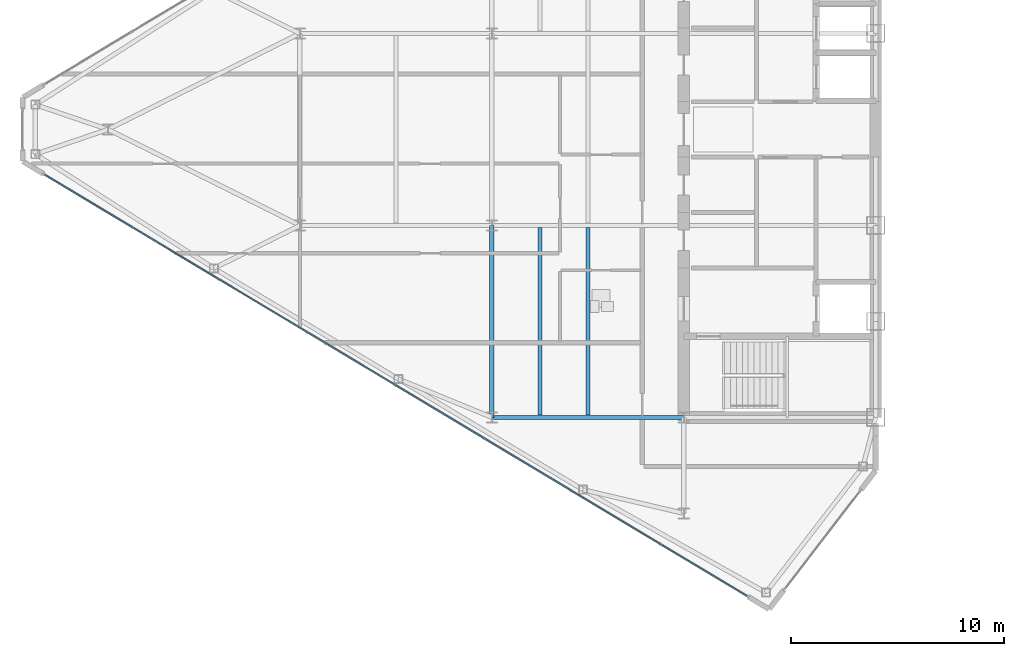
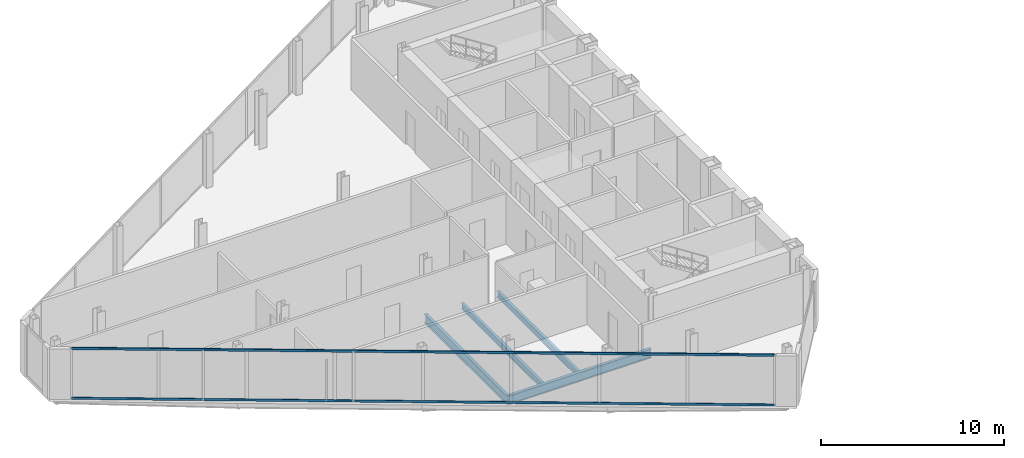
# One storey, part 6 of 25: 4 beams, 2 members, 1 element without a shape of its own.
"""IFC4 building model written with IfcOpenShell, lengths in metres."""

from ifc_helpers import new_model, si_unit, direction, frame, origin, origin_2d, place, context, subcontext, project, spatial, rectangle, i_section, extrude, source, transform, mapped, material, layer, layer_set, material_profile, profile_set, type_object, type_shapes, element, aggregate, save


model = new_model("IFC4")

# Units and contexts
model_context = context("Model", 3, precision=1e-05, world=origin(), true_north=direction((0.0, 1.0)))
body_context = subcontext(model_context, "Body", "Model", "MODEL_VIEW")
ifc_project = project(units=[si_unit("LENGTHUNIT", "METRE"), si_unit("AREAUNIT", "SQUARE_METRE"), si_unit("VOLUMEUNIT", "CUBIC_METRE"), si_unit("PLANEANGLEUNIT", "RADIAN"), si_unit("MASSUNIT", "GRAM", prefix="KILO")], contexts=[model_context])

# Site, building, storey
site_placement = place(None, origin())
site = spatial("IfcSite", under=ifc_project, at=site_placement, CompositionType="ELEMENT")
building_placement = place(site_placement, origin())
building = spatial("IfcBuilding", under=site, at=building_placement, Name="Seokmaru Belvedere", CompositionType="ELEMENT")
storey_placement = place(building_placement, frame((0.0, 0.0, 206.699951171875)))
storey = spatial("IfcBuildingStorey", under=building, at=storey_placement, Name="L55", CompositionType="ELEMENT", Elevation=206.699951171875)

# Beams
ifc_material_1 = material(Name="Steel SM355 (355 MPa)", Category="steel")
ifc_material_profile_1 = material_profile(ifc_material_1, i_section(OverallWidth=0.199951171875, OverallDepth=0.60009765625, WebThickness=0.010986328125, FlangeThickness=0.01708984375, at=origin_2d()), Name="H-600x200x11x17")
ifc_profile_set_1 = profile_set([ifc_material_profile_1], Name="Steel SM355 (355 MPa)")
beam_type_1 = type_object("IfcBeamType", Name="Primary Floor Girder H-600", PredefinedType="BEAM", material=ifc_profile_set_1)
shared_shape_1 = source(origin(), body_context, "Body", "SweptSolid", [
    extrude(i_section(OverallWidth=0.199951171875, OverallDepth=0.60009765625, WebThickness=0.010986328125, FlangeThickness=0.01708984375, at=origin_2d()), origin(), (0.0, 0.0, 1.0), 9.0),
])
type_shapes(beam_type_1, [shared_shape_1])
for number, where, z_axis, x_axis, name in (
    (1, (-45.5, -13.5, -0.52001953125), (0.0, 1.0, 0.0), (-1.0, 0.0, 0.0), "L55 W Interior Grid Girder 1"),
    (2, (-45.5, -13.5, -0.52001953125), (1.0, 0.0, 0.0), (0.0, 1.0, 0.0), "L55 W Wing Primary Girder 1"),
):
    element("IfcBeam", number, at=place(storey_placement, frame(where, z_axis=z_axis, x_axis=x_axis)), inside=storey, type_object=beam_type_1, Name=name, PredefinedType="BEAM", context=body_context, shape_type="MappedRepresentation", body=[
        mapped(shared_shape_1, transform((0.0, 0.0, 0.0), scale=1.0)),
    ])
ifc_material_profile_2 = material_profile(ifc_material_1, i_section(OverallWidth=0.18505859375, OverallDepth=0.389892578125, WebThickness=0.008056640625, FlangeThickness=0.011962890625, at=origin_2d()), Name="H-390x185x8x12")
ifc_profile_set_2 = profile_set([ifc_material_profile_2], Name="Steel SM355 (355 MPa)")
beam_type_2 = type_object("IfcBeamType", Name="Secondary Floor Joist H-350", PredefinedType="JOIST", material=ifc_profile_set_2)
shared_shape_2 = source(origin(), body_context, "Body", "SweptSolid", [
    extrude(i_section(OverallWidth=0.18505859375, OverallDepth=0.389892578125, WebThickness=0.008056640625, FlangeThickness=0.011962890625, at=origin_2d()), origin(), (0.0, 0.0, 1.0), 8.7900390625),
])
type_shapes(beam_type_2, [shared_shape_2])
for number, where, z_axis, x_axis, name in (
    (3, (-43.25, -13.39501953125, -0.4150390625), (0.0, 1.0, 0.0), (-1.0, 0.0, 0.0), "L55 W Wing Inner Secondary Joist 1"),
    (4, (-41.0, -13.39501953125, -0.4150390625), (0.0, 1.0, 0.0), (-1.0, 0.0, 0.0), "L55 W Secondary Floor Joist 1"),
):
    element("IfcBeam", number, at=place(storey_placement, frame(where, z_axis=z_axis, x_axis=x_axis)), inside=storey, type_object=beam_type_2, Name=name, PredefinedType="JOIST", context=body_context, shape_type="MappedRepresentation", body=[
        mapped(shared_shape_2, transform((0.0, 0.0, 0.0), scale=1.0)),
    ])

# Curtain wall, members
ifc_material_2 = material(Name="Bronze Triple Insulating Glass", Category="glass")
ifc_layer = layer(ifc_material_2, 0.179931640625)
ifc_layer_set = layer_set([ifc_layer], Name="Bronze Triple Insulating Glass")
curtain_wall_type = type_object("IfcCurtainWallType", Name="High-Rise Wind-Corner Curtain Wall System CW-5", PredefinedType="NOTDEFINED", material=ifc_layer_set)
curtain_wall_placement = place(storey_placement, origin())
curtain_wall = element("IfcCurtainWall", 5, at=curtain_wall_placement, inside=storey, type_object=curtain_wall_type, Name="L55 Curtain Wall WF5", PredefinedType="NOTDEFINED")
ifc_material_3 = material(Name="Anodised Bronze Aluminium", Category="aluminium")
ifc_material_profile_3 = material_profile(ifc_material_3, rectangle(XDim=0.06494140625, YDim=0.14990234375, at=origin_2d()), Name="CW-T-65x150")
ifc_profile_set_3 = profile_set([ifc_material_profile_3], Name="Anodised Bronze Aluminium")
member_type = type_object("IfcMemberType", Name="Bronze Unitised Transom 65x150", PredefinedType="USERDEFINED", material=ifc_profile_set_3)
shared_shape_3 = source(origin(), body_context, "Body", "SweptSolid", [
    extrude(rectangle(XDim=0.06494140625, YDim=0.14990234375, at=origin_2d()), origin(), (0.0, 0.0, 1.0), 38.386962890625),
])
type_shapes(member_type, [shared_shape_3])
member_1_placement = place(storey_placement, frame((-66.458251953125, -2.125, 0.032470703125), z_axis=(0.85749180336, -0.514497626011, 0.0), x_axis=(0.514497626011, 0.85749180336, 0.0)))
member_1 = element("IfcMember", 6, at=member_1_placement, type_object=member_type, Name="CW:L55:WF5 Continuous Transom 1", ObjectType="TRANSOM", PredefinedType="USERDEFINED", context=body_context, shape_type="MappedRepresentation", body=[
    mapped(shared_shape_3, transform((0.0, 0.0, 0.0), scale=1.0)),
])
member_2_placement = place(storey_placement, frame((-66.458251953125, -2.125, 3.34765625), z_axis=(0.85749180336, -0.514497626011, 0.0), x_axis=(0.514497626011, 0.85749180336, 0.0)))
member_2 = element("IfcMember", 7, at=member_2_placement, type_object=member_type, Name="CW:L55:WF5 Continuous Transom 2", ObjectType="TRANSOM", PredefinedType="USERDEFINED", context=body_context, shape_type="MappedRepresentation", body=[
    mapped(shared_shape_3, transform((0.0, 0.0, 0.0), scale=1.0)),
])
aggregate(curtain_wall, [member_1, member_2])

save(model, "model.ifc")
